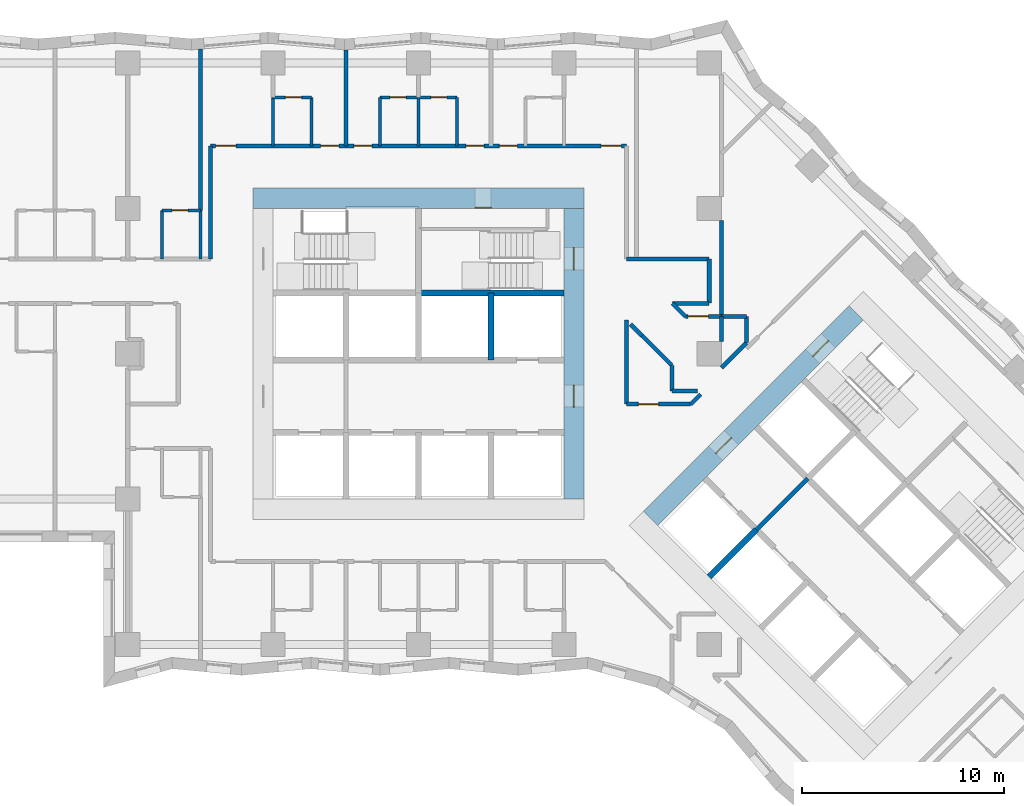
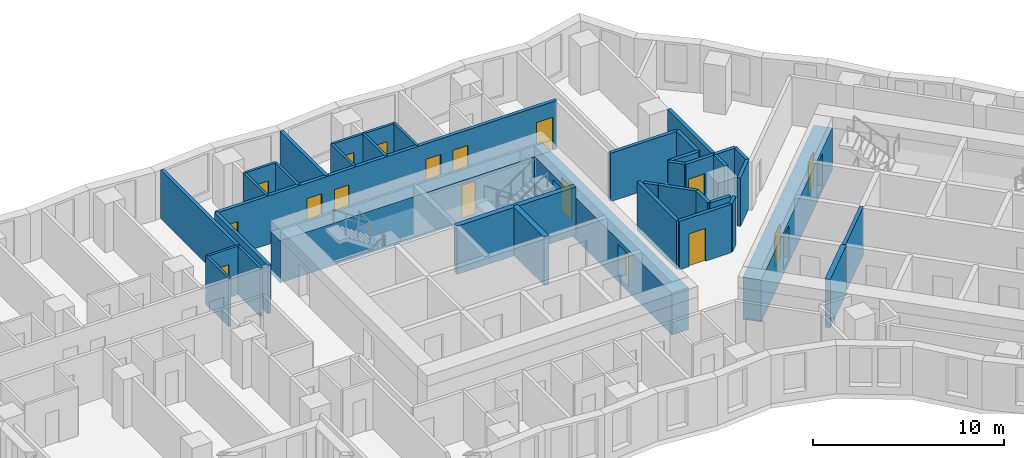
# One storey, part 6 of 13: 38 walls, 17 doors, 17 openings.
"""IFC4 building model written with IfcOpenShell, lengths in metres."""

import ifcopenshell
import ifcopenshell.guid

model = None  # the IFC model being written
_history = None  # IfcOwnerHistory: only IFC2X3 demands one
_inside = {}  # id of a spatial element -> (the spatial element, [elements in it])
_under = {}  # id of a project, library or spatial element -> (it, [spatial elements below it])
_declared = {}  # id of a project -> (the project, [libraries it declares])
_typed = {}  # id of a type object -> (the type object, [elements of that type])
_made_of = {}  # id of a material, layer set ... -> (it, [elements and type objects made of it])


def new_model(schema):
    """Start an empty IFC model of exactly this schema.

    Asked for "IFC4X3", IfcOpenShell would pick the latest addendum, in which some entities
    have other attributes; the version numbers below select the first issue.
    IFC2X3 requires an IfcOwnerHistory on every rooted entity: one is made here for all.
    """
    global model, _history
    if schema == "IFC4X3":
        model = ifcopenshell.file(schema_version=(4, 3, 0, 0))
    else:
        model = ifcopenshell.file(schema=schema)
    _inside.clear()
    _under.clear()
    _declared.clear()
    _typed.clear()
    _made_of.clear()
    _history = None
    if model.schema == "IFC2X3":
        org = make("IfcOrganization", Name="unknown")
        user = make(
            "IfcPersonAndOrganization",
            ThePerson=make("IfcPerson", FamilyName="unknown"),
            TheOrganization=org,
        )
        app = make(
            "IfcApplication",
            ApplicationDeveloper=org,
            Version="unknown",
            ApplicationFullName="unknown",
            ApplicationIdentifier="unknown",
        )
        _history = make(
            "IfcOwnerHistory",
            OwningUser=user,
            OwningApplication=app,
            ChangeAction="ADDED",
            CreationDate=0,
        )
    return model


def make(cls, **values):
    """One entity of the class cls with the attributes given. An attribute that is None is left unset."""
    return model.create_entity(
        cls, **{name: value for name, value in values.items() if value is not None}
    )


def rooted(cls, **values):
    """An entity with a GlobalId (a new one), such as an element, a storey or a relation."""
    return make(cls, GlobalId=ifcopenshell.guid.new(), OwnerHistory=_history, **values)


def si_unit(unit_type, name, prefix=None):
    """IfcSIUnit, for example si_unit("LENGTHUNIT", "METRE", prefix="MILLI")."""
    return make("IfcSIUnit", UnitType=unit_type, Prefix=prefix, Name=name)


def assignment(units):
    """IfcUnitAssignment: the units of a project."""
    return None if units is None else make("IfcUnitAssignment", Units=units)


def point(xyz):
    """IfcCartesianPoint."""
    return None if xyz is None else make("IfcCartesianPoint", Coordinates=xyz)


def direction(xyz):
    """IfcDirection."""
    return None if xyz is None else make("IfcDirection", DirectionRatios=xyz)


def frame(location, z_axis=None, x_axis=None):
    """IfcAxis2Placement3D, a coordinate frame: its origin and axes. An axis left out is left unset."""
    return make(
        "IfcAxis2Placement3D",
        Location=point(location),
        Axis=direction(z_axis),
        RefDirection=direction(x_axis),
    )


def frame_2d(location, x_axis=None):
    """IfcAxis2Placement2D, a coordinate frame in the plane: its origin and x axis."""
    return make(
        "IfcAxis2Placement2D", Location=point(location), RefDirection=direction(x_axis)
    )


def origin():
    """The frame at (0, 0, 0) with its axes left unset."""
    return frame((0.0, 0.0, 0.0))


def place(relative_to, where):
    """IfcLocalPlacement: puts the frame where relative to a parent placement (None: the world)."""
    return make(
        "IfcLocalPlacement", PlacementRelTo=relative_to, RelativePlacement=where
    )


def context(
    kind, dimensions, precision=None, world=None, true_north=None, identifier=None
):
    """IfcGeometricRepresentationContext, for example the 3D "Model" context."""
    return make(
        "IfcGeometricRepresentationContext",
        ContextIdentifier=identifier,
        ContextType=kind,
        CoordinateSpaceDimension=dimensions,
        Precision=precision,
        WorldCoordinateSystem=world,
        TrueNorth=true_north,
    )


def subcontext(parent, identifier, kind, view, scale=None):
    """IfcGeometricRepresentationSubContext, for example "Body" below "Model"."""
    return make(
        "IfcGeometricRepresentationSubContext",
        ContextIdentifier=identifier,
        ContextType=kind,
        ParentContext=parent,
        TargetScale=scale,
        TargetView=view,
    )


def project(units=None, contexts=None):
    """IfcProject with its units and contexts."""
    return rooted(
        "IfcProject",
        Name="project",
        RepresentationContexts=contexts,
        UnitsInContext=assignment(units),
    )


def spatial(cls, under=None, at=None, **own):
    """A site, building, storey or space (cls), placed at a placement, below another one or the project."""
    s = rooted(cls, ObjectPlacement=at, **own)
    if under is not None:
        _under.setdefault(under.id(), (under, []))[1].append(s)
    return s


def profile(cls, at=None, kind="AREA", **sizes):
    """A parametric profile (cls). Its sizes go by their IFC names, for example OverallWidth=200.0."""
    return make(cls, ProfileType=kind, Position=at, **sizes)


def rectangle(**sizes):
    """IfcRectangleProfileDef."""
    return profile("IfcRectangleProfileDef", **sizes)


def extrude(swept, where, along, depth):
    """IfcExtrudedAreaSolid: the profile swept, set in the frame where, extruded along a direction by depth."""
    return make(
        "IfcExtrudedAreaSolid",
        SweptArea=swept,
        Position=where,
        ExtrudedDirection=direction(along),
        Depth=depth,
    )


def shape(context_of_items, identifier, shape_type, items):
    """IfcShapeRepresentation: the items that make up one representation, for example the "Body"."""
    return make(
        "IfcShapeRepresentation",
        ContextOfItems=context_of_items,
        RepresentationIdentifier=identifier,
        RepresentationType=shape_type,
        Items=items,
    )


def material(Name=None, Category=None):
    """IfcMaterial."""
    return make("IfcMaterial", Name=Name, Category=Category)


def layer(
    of_material, thickness, ventilated=None, Name=None, Category=None, Priority=None
):
    """IfcMaterialLayer: one layer of a wall or slab, of a material (None: an air gap)."""
    return make(
        "IfcMaterialLayer",
        Material=of_material,
        LayerThickness=thickness,
        IsVentilated=ventilated,
        Name=Name,
        Category=Category,
        Priority=Priority,
    )


def layer_set(layers, Name=None):
    """IfcMaterialLayerSet."""
    return make("IfcMaterialLayerSet", MaterialLayers=layers, LayerSetName=Name)


def made_of(thing, what):
    """Note that an element or type object is made of a material, layer set ...; save() writes the relation."""
    if what is not None:
        _made_of.setdefault(what.id(), (what, []))[1].append(thing)
    return thing


def type_object(cls, material=None, **own):
    """A type object (cls), such as IfcWallType, which elements share."""
    return made_of(rooted(cls, **own), material)


def element(
    cls,
    number,
    at=None,
    inside=None,
    cuts=None,
    type_object=None,
    material=None,
    context=None,
    identifier="Body",
    shape_type=None,
    held_by="IfcProductDefinitionShape",
    body=None,
    shapes=None,
    **own,
):
    """One element of the class cls, such as IfcWall. Its Tag is "e" and its number.

    at: its placement. inside: the storey or other place that contains it. cuts: it is an
    opening in that element (IfcRelVoidsElement). A single representation is given by context,
    identifier, shape_type and body (its items); several are given by shapes. held_by: the class
    of the entity that holds the representations. save() writes the other relations.
    """
    e = rooted(cls, Tag="e%d" % number, ObjectPlacement=at, **own)
    if body is not None:
        shapes = [shape(context, identifier, shape_type, body)]
    if shapes is not None:
        e.Representation = make(held_by, Representations=shapes)
    if inside is not None:
        _inside.setdefault(inside.id(), (inside, []))[1].append(e)
    if cuts is not None:
        rooted(
            "IfcRelVoidsElement", RelatingBuildingElement=cuts, RelatedOpeningElement=e
        )
    if type_object is not None:
        _typed.setdefault(type_object.id(), (type_object, []))[1].append(e)
    return made_of(e, material)


def fill(opening, filler):
    """IfcRelFillsElement: the door or window that sits in an opening."""
    return rooted(
        "IfcRelFillsElement",
        RelatingOpeningElement=opening,
        RelatedBuildingElement=filler,
    )


def aggregate(whole, parts):
    """IfcRelAggregates: a whole, such as a stair, and the parts it consists of."""
    return rooted("IfcRelAggregates", RelatingObject=whole, RelatedObjects=parts)


def save(model, path):
    """Write the relations noted so far, then the file.

    IfcRelAggregates (storeys below a building ...), IfcRelContainedInSpatialStructure (elements
    in a storey), IfcRelDefinesByType, IfcRelAssociatesMaterial and IfcRelDeclares: one each for
    every whole, place, type object, material and project.
    """
    for whole, parts in _under.values():
        aggregate(whole, parts)
    for where, things in _inside.values():
        rooted(
            "IfcRelContainedInSpatialStructure",
            RelatedElements=things,
            RelatingStructure=where,
        )
    for kind, things in _typed.values():
        rooted("IfcRelDefinesByType", RelatedObjects=things, RelatingType=kind)
    for what, things in _made_of.values():
        rooted("IfcRelAssociatesMaterial", RelatedObjects=things, RelatingMaterial=what)
    for by, libraries in _declared.values():
        rooted("IfcRelDeclares", RelatingContext=by, RelatedDefinitions=libraries)
    model.write(path)


model = new_model("IFC4")

# Units and contexts
model_context = context("Model", 3, precision=1e-05, world=origin(), true_north=direction((0.0, 1.0)))
body_context = subcontext(model_context, "Body", "Model", "MODEL_VIEW")
ifc_project = project(units=[si_unit("LENGTHUNIT", "METRE"), si_unit("AREAUNIT", "SQUARE_METRE"), si_unit("VOLUMEUNIT", "CUBIC_METRE"), si_unit("PLANEANGLEUNIT", "RADIAN"), si_unit("MASSUNIT", "GRAM", prefix="KILO")], contexts=[model_context])

# Site, building, storey
site_placement = place(None, origin())
site = spatial("IfcSite", under=ifc_project, at=site_placement, CompositionType="ELEMENT")
building_placement = place(site_placement, origin())
building = spatial("IfcBuilding", under=site, at=building_placement, Name="Windrow Commons", CompositionType="ELEMENT")
storey_placement = place(building_placement, frame((0.0, 0.0, 30.4)))
storey = spatial("IfcBuildingStorey", under=building, at=storey_placement, Name="L07", CompositionType="ELEMENT", Elevation=30.4)

# Wall
ifc_material_1 = material(Name="Blockwork partition", Category="masonry")
ifc_layer_1 = layer(ifc_material_1, 0.2)
ifc_layer_set_1 = layer_set([ifc_layer_1], Name="Fire lobby partition 200")
wall_type_1 = type_object("IfcWallType", Name="Fire lobby partition 200", PredefinedType="PARTITIONING", material=ifc_layer_set_1)
wall_1_placement = place(storey_placement, frame((81.5335, 48.8776, 0.0), z_axis=(0.0, 0.0, 1.0), x_axis=(0.707092892, 0.7071206701, 0.0)))
element("IfcWall", 1, at=wall_1_placement, inside=storey, type_object=wall_type_1, Name="W-core-lobby-B-L07", PredefinedType="PARTITIONING", context=body_context, shape_type="SweptSolid", body=[
    extrude(rectangle(XDim=3.6, YDim=0.2, at=frame_2d((1.8, 0.0))), origin(), (0.0, 0.0, 1.0), 3.1),
])

# Wall, openings, doors
ifc_material_2 = material(Name="Blockwork partition", Category="masonry")
ifc_layer_2 = layer(ifc_material_2, 0.2)
ifc_layer_set_2 = layer_set([ifc_layer_2], Name="IW-CORRIDOR-200")
wall_type_2 = type_object("IfcWallType", Name="IW-CORRIDOR-200", PredefinedType="PARTITIONING", material=ifc_layer_set_2)
wall_2_placement = place(storey_placement, frame((54.5, 67.9, 0.0), z_axis=(0.0, 0.0, 1.0), x_axis=(1.0, 0.0, 0.0)))
wall_2 = element("IfcWall", 2, at=wall_2_placement, inside=storey, type_object=wall_type_2, Name="W-L07-W002", PredefinedType="PARTITIONING", context=body_context, shape_type="SweptSolid", body=[
    extrude(rectangle(XDim=20.6, YDim=0.2, at=frame_2d((10.3, 0.0))), origin(), (0.0, 0.0, 1.0), 3.1),
])
opening_1_placement = place(wall_2_placement, frame((0.2548, 0.0, 0.0)))
opening_1 = element("IfcOpeningElement", 3, at=opening_1_placement, cuts=wall_2, Name="Opening D310F", PredefinedType="OPENING", context=body_context, shape_type="SweptSolid", body=[
    extrude(rectangle(XDim=1.0, YDim=2.1, at=frame_2d((0.5, 1.05))), frame((0.0, 0.11, 0.0), z_axis=(0.0, -1.0, 0.0), x_axis=(1.0, 0.0, 0.0)), (0.0, 0.0, 1.0), 0.22),
])
opening_2_placement = place(wall_2_placement, frame((19.3452, 0.0, 0.0)))
opening_2 = element("IfcOpeningElement", 4, at=opening_2_placement, cuts=wall_2, Name="Opening D310F", PredefinedType="OPENING", context=body_context, shape_type="SweptSolid", body=[
    extrude(rectangle(XDim=1.0, YDim=2.1, at=frame_2d((0.5, 1.05))), frame((0.0, 0.11, 0.0), z_axis=(0.0, -1.0, 0.0), x_axis=(1.0, 0.0, 0.0)), (0.0, 0.0, 1.0), 0.22),
])
opening_3_placement = place(wall_2_placement, frame((5.45, 0.0, 0.0)))
opening_3 = element("IfcOpeningElement", 5, at=opening_3_placement, cuts=wall_2, Name="Opening D109S", PredefinedType="OPENING", context=body_context, shape_type="SweptSolid", body=[
    extrude(rectangle(XDim=0.9, YDim=2.1, at=frame_2d((0.45, 1.05))), frame((0.0, 0.11, 0.0), z_axis=(0.0, -1.0, 0.0), x_axis=(1.0, 0.0, 0.0)), (0.0, 0.0, 1.0), 0.22),
])
opening_4_placement = place(wall_2_placement, frame((7.1, 0.0, 0.0)))
opening_4 = element("IfcOpeningElement", 6, at=opening_4_placement, cuts=wall_2, Name="Opening D109S", PredefinedType="OPENING", context=body_context, shape_type="SweptSolid", body=[
    extrude(rectangle(XDim=0.9, YDim=2.1, at=frame_2d((0.45, 1.05))), frame((0.0, 0.11, 0.0), z_axis=(0.0, -1.0, 0.0), x_axis=(1.0, 0.0, 0.0)), (0.0, 0.0, 1.0), 0.22),
])
opening_5_placement = place(wall_2_placement, frame((12.65, 0.0, 0.0)))
opening_5 = element("IfcOpeningElement", 7, at=opening_5_placement, cuts=wall_2, Name="Opening D109S", PredefinedType="OPENING", context=body_context, shape_type="SweptSolid", body=[
    extrude(rectangle(XDim=0.9, YDim=2.1, at=frame_2d((0.45, 1.05))), frame((0.0, 0.11, 0.0), z_axis=(0.0, -1.0, 0.0), x_axis=(1.0, 0.0, 0.0)), (0.0, 0.0, 1.0), 0.22),
])
opening_6_placement = place(wall_2_placement, frame((14.3, 0.0, 0.0)))
opening_6 = element("IfcOpeningElement", 8, at=opening_6_placement, cuts=wall_2, Name="Opening D109S", PredefinedType="OPENING", context=body_context, shape_type="SweptSolid", body=[
    extrude(rectangle(XDim=0.9, YDim=2.1, at=frame_2d((0.45, 1.05))), frame((0.0, 0.11, 0.0), z_axis=(0.0, -1.0, 0.0), x_axis=(1.0, 0.0, 0.0)), (0.0, 0.0, 1.0), 0.22),
])
ifc_material_3 = material(Name="Timber door leaf", Category="wood")
door_type_1 = type_object("IfcDoorType", Name="DT-AMENITY-1000", OperationType="SINGLE_SWING_LEFT", PredefinedType="DOOR", material=ifc_material_3)
door_1_placement = place(opening_1_placement, origin())
door_1 = element("IfcDoor", 9, at=door_1_placement, inside=storey, type_object=door_type_1, Name="D-L07-D024", OperationType="SINGLE_SWING_LEFT", OverallHeight=2.1, OverallWidth=1.0, PredefinedType="DOOR", context=body_context, shape_type="SweptSolid", body=[
    extrude(rectangle(XDim=1.0, YDim=2.1, at=frame_2d((0.5, 1.05))), frame((0.0, 0.025, 0.0), z_axis=(0.0, -1.0, 0.0), x_axis=(1.0, 0.0, 0.0)), (0.0, 0.0, 1.0), 0.05),
])
fill(opening_1, door_1)
door_2_placement = place(opening_2_placement, origin())
door_2 = element("IfcDoor", 10, at=door_2_placement, inside=storey, type_object=door_type_1, Name="D-L07-D025", OperationType="SINGLE_SWING_RIGHT", OverallHeight=2.1, OverallWidth=1.0, PredefinedType="DOOR", context=body_context, shape_type="SweptSolid", body=[
    extrude(rectangle(XDim=1.0, YDim=2.1, at=frame_2d((0.5, 1.05))), frame((0.0, 0.025, 0.0), z_axis=(0.0, -1.0, 0.0), x_axis=(1.0, 0.0, 0.0)), (0.0, 0.0, 1.0), 0.05),
])
fill(opening_2, door_2)
ifc_material_4 = material(Name="Timber door leaf", Category="wood")
door_type_2 = type_object("IfcDoorType", Name="DT-BEDROOM-900", OperationType="SINGLE_SWING_LEFT", PredefinedType="DOOR", material=ifc_material_4)
door_3_placement = place(opening_3_placement, origin())
door_3 = element("IfcDoor", 11, at=door_3_placement, inside=storey, type_object=door_type_2, Name="D-L07-D031", OperationType="SINGLE_SWING_RIGHT", OverallHeight=2.1, OverallWidth=0.9, PredefinedType="DOOR", context=body_context, shape_type="SweptSolid", body=[
    extrude(rectangle(XDim=0.9, YDim=2.1, at=frame_2d((0.45, 1.05))), frame((0.0, 0.025, 0.0), z_axis=(0.0, -1.0, 0.0), x_axis=(1.0, 0.0, 0.0)), (0.0, 0.0, 1.0), 0.05),
])
fill(opening_3, door_3)
door_4_placement = place(opening_4_placement, origin())
door_4 = element("IfcDoor", 12, at=door_4_placement, inside=storey, type_object=door_type_2, Name="D-L07-D033", OperationType="SINGLE_SWING_LEFT", OverallHeight=2.1, OverallWidth=0.9, PredefinedType="DOOR", context=body_context, shape_type="SweptSolid", body=[
    extrude(rectangle(XDim=0.9, YDim=2.1, at=frame_2d((0.45, 1.05))), frame((0.0, 0.025, 0.0), z_axis=(0.0, -1.0, 0.0), x_axis=(1.0, 0.0, 0.0)), (0.0, 0.0, 1.0), 0.05),
])
fill(opening_4, door_4)
door_5_placement = place(opening_5_placement, origin())
door_5 = element("IfcDoor", 13, at=door_5_placement, inside=storey, type_object=door_type_2, Name="D-L07-D035", OperationType="SINGLE_SWING_RIGHT", OverallHeight=2.1, OverallWidth=0.9, PredefinedType="DOOR", context=body_context, shape_type="SweptSolid", body=[
    extrude(rectangle(XDim=0.9, YDim=2.1, at=frame_2d((0.45, 1.05))), frame((0.0, 0.025, 0.0), z_axis=(0.0, -1.0, 0.0), x_axis=(1.0, 0.0, 0.0)), (0.0, 0.0, 1.0), 0.05),
])
fill(opening_5, door_5)
door_6_placement = place(opening_6_placement, origin())
door_6 = element("IfcDoor", 14, at=door_6_placement, inside=storey, type_object=door_type_2, Name="D-L07-D037", OperationType="SINGLE_SWING_LEFT", OverallHeight=2.1, OverallWidth=0.9, PredefinedType="DOOR", context=body_context, shape_type="SweptSolid", body=[
    extrude(rectangle(XDim=0.9, YDim=2.1, at=frame_2d((0.45, 1.05))), frame((0.0, 0.025, 0.0), z_axis=(0.0, -1.0, 0.0), x_axis=(1.0, 0.0, 0.0)), (0.0, 0.0, 1.0), 0.05),
])
fill(opening_6, door_6)

# Walls
wall_3_placement = place(storey_placement, frame((54.5, 62.302, 0.0), z_axis=(0.0, 0.0, 1.0), x_axis=(0.0, 1.0, 0.0)))
element("IfcWall", 15, at=wall_3_placement, inside=storey, type_object=wall_type_2, Name="W-L07-W039", PredefinedType="PARTITIONING", context=body_context, shape_type="SweptSolid", body=[
    extrude(rectangle(XDim=5.598, YDim=0.2, at=frame_2d((2.799, 0.0))), origin(), (0.0, 0.0, 1.0), 3.1),
])
wall_4_placement = place(storey_placement, frame((75.1, 55.102, 0.0), z_axis=(0.0, 0.0, 1.0), x_axis=(0.0, 1.0, 0.0)))
element("IfcWall", 16, at=wall_4_placement, inside=storey, type_object=wall_type_2, Name="W-L07-W056", PredefinedType="PARTITIONING", context=body_context, shape_type="SweptSolid", body=[
    extrude(rectangle(XDim=4.166, YDim=0.2, at=frame_2d((2.083, 0.0))), origin(), (0.0, 0.0, 1.0), 3.1),
])
wall_5_placement = place(storey_placement, frame((75.102, 62.3, 0.0), z_axis=(0.0, 0.0, 1.0), x_axis=(1.0, 0.0, 0.0)))
element("IfcWall", 17, at=wall_5_placement, inside=storey, type_object=wall_type_2, Name="W-L07-W058", PredefinedType="PARTITIONING", context=body_context, shape_type="SweptSolid", body=[
    extrude(rectangle(XDim=4.098, YDim=0.2, at=frame_2d((2.049, 0.0))), origin(), (0.0, 0.0, 1.0), 3.1),
])

# Wall, opening, door
wall_6_placement = place(storey_placement, frame((75.102, 55.1, 0.0), z_axis=(0.0, 0.0, 1.0), x_axis=(1.0, 0.0, 0.0)))
wall_6 = element("IfcWall", 18, at=wall_6_placement, inside=storey, type_object=wall_type_2, Name="W-L07-W068", PredefinedType="PARTITIONING", context=body_context, shape_type="SweptSolid", body=[
    extrude(rectangle(XDim=3.178, YDim=0.2, at=frame_2d((1.589, 0.0))), origin(), (0.0, 0.0, 1.0), 3.1),
])
opening_7_placement = place(wall_6_placement, frame((0.5937, 0.0, 0.0)))
opening_7 = element("IfcOpeningElement", 19, at=opening_7_placement, cuts=wall_6, Name="Opening D310F", PredefinedType="OPENING", context=body_context, shape_type="SweptSolid", body=[
    extrude(rectangle(XDim=1.0, YDim=2.1, at=frame_2d((0.5, 1.05))), frame((0.0, 0.11, 0.0), z_axis=(0.0, -1.0, 0.0), x_axis=(1.0, 0.0, 0.0)), (0.0, 0.0, 1.0), 0.22),
])
door_7_placement = place(opening_7_placement, origin())
door_7 = element("IfcDoor", 20, at=door_7_placement, inside=storey, type_object=door_type_1, Name="D-L07-D000", OperationType="SINGLE_SWING_LEFT", OverallHeight=2.1, OverallWidth=1.0, PredefinedType="DOOR", context=body_context, shape_type="SweptSolid", body=[
    extrude(rectangle(XDim=1.0, YDim=2.1, at=frame_2d((0.5, 1.05))), frame((0.0, 0.025, 0.0), z_axis=(0.0, -1.0, 0.0), x_axis=(1.0, 0.0, 0.0)), (0.0, 0.0, 1.0), 0.05),
])
fill(opening_7, door_7)

# Walls
wall_7_placement = place(storey_placement, frame((79.2, 60.102, 0.0), z_axis=(0.0, 0.0, 1.0), x_axis=(0.0, 1.0, 0.0)))
element("IfcWall", 21, at=wall_7_placement, inside=storey, type_object=wall_type_2, Name="W-L07-W130", PredefinedType="PARTITIONING", context=body_context, shape_type="SweptSolid", body=[
    extrude(rectangle(XDim=2.198, YDim=0.2, at=frame_2d((1.099, 0.0))), origin(), (0.0, 0.0, 1.0), 3.1),
])
wall_8_placement = place(storey_placement, frame((75.8791, 58.4971, 0.0), z_axis=(0.0, 0.0, 1.0), x_axis=(0.7075866635, -0.706626573, 0.0)))
element("IfcWall", 22, at=wall_8_placement, inside=storey, type_object=wall_type_2, Name="W-L07-W133", PredefinedType="PARTITIONING", context=body_context, shape_type="SweptSolid", body=[
    extrude(rectangle(XDim=2.0831, YDim=0.2, at=frame_2d((1.0415, 0.0))), origin(), (0.0, 0.0, 1.0), 3.1),
])
wall_9_placement = place(storey_placement, frame((77.384, 60.1, 0.0), z_axis=(0.0, 0.0, 1.0), x_axis=(1.0, 0.0, 0.0)))
element("IfcWall", 23, at=wall_9_placement, inside=storey, type_object=wall_type_2, Name="W-L07-W159", PredefinedType="PARTITIONING", context=body_context, shape_type="SweptSolid", body=[
    extrude(rectangle(XDim=1.814, YDim=0.2, at=frame_2d((0.907, 0.0))), origin(), (0.0, 0.0, 1.0), 3.1),
])

# Wall, opening, door
wall_10_placement = place(storey_placement, frame((78.032, 59.45, 0.0), z_axis=(0.0, 0.0, 1.0), x_axis=(1.0, 0.0, 0.0)))
wall_10 = element("IfcWall", 24, at=wall_10_placement, inside=storey, type_object=wall_type_2, Name="W-L07-W162", PredefinedType="PARTITIONING", context=body_context, shape_type="SweptSolid", body=[
    extrude(rectangle(XDim=1.768, YDim=0.2, at=frame_2d((0.884, 0.0))), origin(), (0.0, 0.0, 1.0), 3.1),
])
opening_8_placement = place(wall_10_placement, frame((0.1264, 0.0, 0.0)))
opening_8 = element("IfcOpeningElement", 25, at=opening_8_placement, cuts=wall_10, Name="Opening D310F", PredefinedType="OPENING", context=body_context, shape_type="SweptSolid", body=[
    extrude(rectangle(XDim=1.0, YDim=2.1, at=frame_2d((0.5, 1.05))), frame((0.0, 0.11, 0.0), z_axis=(0.0, -1.0, 0.0), x_axis=(1.0, 0.0, 0.0)), (0.0, 0.0, 1.0), 0.22),
])
door_8_placement = place(opening_8_placement, origin())
door_8 = element("IfcDoor", 26, at=door_8_placement, inside=storey, type_object=door_type_1, Name="D-L07-D048", OperationType="SINGLE_SWING_LEFT", OverallHeight=2.1, OverallWidth=1.0, PredefinedType="DOOR", context=body_context, shape_type="SweptSolid", body=[
    extrude(rectangle(XDim=1.0, YDim=2.1, at=frame_2d((0.5, 1.05))), frame((0.0, 0.025, 0.0), z_axis=(0.0, -1.0, 0.0), x_axis=(1.0, 0.0, 0.0)), (0.0, 0.0, 1.0), 0.05),
])
fill(opening_8, door_8)

# Walls
wall_11_placement = place(storey_placement, frame((79.8011, 56.9049, 0.0), z_axis=(0.0, 0.0, 1.0), x_axis=(0.7071067812, 0.7071067812, 0.0)))
element("IfcWall", 27, at=wall_11_placement, inside=storey, type_object=wall_type_2, Name="W-L07-W163", PredefinedType="PARTITIONING", context=body_context, shape_type="SweptSolid", body=[
    extrude(rectangle(XDim=1.7649, YDim=0.2, at=frame_2d((0.8824, 0.0))), origin(), (0.0, 0.0, 1.0), 3.1),
])
for number, where, z_axis, x_axis, name in (
    (28, (77.352, 55.75, 0.0), (0.0, 0.0, 1.0), (1.0, 0.0, 0.0), "W-L07-W177"),
    (29, (77.35, 55.752, 0.0), (0.0, 0.0, 1.0), (0.0, 1.0, 0.0), "W-L07-W178"),
):
    element("IfcWall", number, at=place(storey_placement, frame(where, z_axis=z_axis, x_axis=x_axis)), inside=storey, type_object=wall_type_2, Name=name, PredefinedType="PARTITIONING", context=body_context, shape_type="SweptSolid", body=[
        extrude(rectangle(XDim=1.268, YDim=0.2, at=frame_2d((0.634, 0.0))), origin(), (0.0, 0.0, 1.0), 3.1),
    ])
wall_12_placement = place(storey_placement, frame((79.8, 58.2, 0.0), z_axis=(0.0, 0.0, 1.0), x_axis=(0.0, 1.0, 0.0)))
element("IfcWall", 30, at=wall_12_placement, inside=storey, type_object=wall_type_2, Name="W-L07-W179", PredefinedType="PARTITIONING", context=body_context, shape_type="SweptSolid", body=[
    extrude(rectangle(XDim=1.25, YDim=0.2, at=frame_2d((0.625, 0.0))), origin(), (0.0, 0.0, 1.0), 3.1),
])
wall_13_placement = place(storey_placement, frame((77.3809, 60.0949, 0.0), z_axis=(0.0, 0.0, 1.0), x_axis=(0.7071067812, -0.7071067812, 0.0)))
element("IfcWall", 31, at=wall_13_placement, inside=storey, type_object=wall_type_2, Name="W-L07-W187", PredefinedType="PARTITIONING", context=body_context, shape_type="SweptSolid", body=[
    extrude(rectangle(XDim=0.9164, YDim=0.2, at=frame_2d((0.4582, 0.0))), origin(), (0.0, 0.0, 1.0), 3.1),
])
wall_14_placement = place(storey_placement, frame((75.2972, 59.0672, 0.0), z_axis=(0.0, 0.0, 1.0), x_axis=(0.7071067812, -0.7071067812, 0.0)))
element("IfcWall", 32, at=wall_14_placement, inside=storey, type_object=wall_type_2, Name="W-L07-W188", PredefinedType="PARTITIONING", context=body_context, shape_type="SweptSolid", body=[
    extrude(rectangle(XDim=0.8146, YDim=0.2, at=frame_2d((0.4073, 0.0))), origin(), (0.0, 0.0, 1.0), 3.1),
])
wall_15_placement = place(storey_placement, frame((78.2795, 55.1005, 0.0), z_axis=(0.0, 0.0, 1.0), x_axis=(0.7071067812, 0.7071067812, 0.0)))
element("IfcWall", 33, at=wall_15_placement, inside=storey, type_object=wall_type_2, Name="W-L07-W190", PredefinedType="PARTITIONING", context=body_context, shape_type="SweptSolid", body=[
    extrude(rectangle(XDim=0.7014, YDim=0.2, at=frame_2d((0.3507, 0.0))), origin(), (0.0, 0.0, 1.0), 3.1),
])

# Wall, openings, doors
ifc_material_5 = material(Name="Blockwork partition", Category="masonry")
ifc_layer_3 = layer(ifc_material_5, 0.15)
ifc_layer_set_3 = layer_set([ifc_layer_3], Name="IW-ENSUITE-150")
wall_type_3 = type_object("IfcWallType", Name="IW-ENSUITE-150", PredefinedType="PARTITIONING", material=ifc_layer_set_3)
wall_16_placement = place(storey_placement, frame((62.9, 70.3, 0.0), z_axis=(0.0, 0.0, 1.0), x_axis=(1.0, 0.0, 0.0)))
wall_16 = element("IfcWall", 34, at=wall_16_placement, inside=storey, type_object=wall_type_3, Name="W-L07-W062", PredefinedType="PARTITIONING", context=body_context, shape_type="SweptSolid", body=[
    extrude(rectangle(XDim=3.8, YDim=0.15, at=frame_2d((1.9, 0.0))), origin(), (0.0, 0.0, 1.0), 3.1),
])
opening_9_placement = place(wall_16_placement, frame((0.4931, 0.0, 0.0)))
opening_9 = element("IfcOpeningElement", 35, at=opening_9_placement, cuts=wall_16, Name="Opening D208N", PredefinedType="OPENING", context=body_context, shape_type="SweptSolid", body=[
    extrude(rectangle(XDim=0.8, YDim=2.1, at=frame_2d((0.4, 1.05))), frame((0.0, 0.085, 0.0), z_axis=(0.0, -1.0, 0.0), x_axis=(1.0, 0.0, 0.0)), (0.0, 0.0, 1.0), 0.17),
])
opening_10_placement = place(wall_16_placement, frame((2.5069, 0.0, 0.0)))
opening_10 = element("IfcOpeningElement", 36, at=opening_10_placement, cuts=wall_16, Name="Opening D208N", PredefinedType="OPENING", context=body_context, shape_type="SweptSolid", body=[
    extrude(rectangle(XDim=0.8, YDim=2.1, at=frame_2d((0.4, 1.05))), frame((0.0, 0.085, 0.0), z_axis=(0.0, -1.0, 0.0), x_axis=(1.0, 0.0, 0.0)), (0.0, 0.0, 1.0), 0.17),
])
ifc_material_6 = material(Name="Timber door leaf", Category="wood")
door_type_3 = type_object("IfcDoorType", Name="DT-ENSUITE-800", OperationType="SINGLE_SWING_LEFT", PredefinedType="DOOR", material=ifc_material_6)
door_9_placement = place(opening_9_placement, origin())
door_9 = element("IfcDoor", 37, at=door_9_placement, inside=storey, type_object=door_type_3, Name="D-L07-D034", OperationType="SINGLE_SWING_RIGHT", OverallHeight=2.1, OverallWidth=0.8, PredefinedType="DOOR", context=body_context, shape_type="SweptSolid", body=[
    extrude(rectangle(XDim=0.8, YDim=2.1, at=frame_2d((0.4, 1.05))), frame((0.0, 0.025, 0.0), z_axis=(0.0, -1.0, 0.0), x_axis=(1.0, 0.0, 0.0)), (0.0, 0.0, 1.0), 0.05),
])
fill(opening_9, door_9)
door_10_placement = place(opening_10_placement, origin())
door_10 = element("IfcDoor", 38, at=door_10_placement, inside=storey, type_object=door_type_3, Name="D-L07-D036", OperationType="SINGLE_SWING_RIGHT", OverallHeight=2.1, OverallWidth=0.8, PredefinedType="DOOR", context=body_context, shape_type="SweptSolid", body=[
    extrude(rectangle(XDim=0.8, YDim=2.1, at=frame_2d((0.4, 1.05))), frame((0.0, 0.025, 0.0), z_axis=(0.0, -1.0, 0.0), x_axis=(1.0, 0.0, 0.0)), (0.0, 0.0, 1.0), 0.05),
])
fill(opening_10, door_10)

# Walls
for number, where, z_axis, x_axis, name in (
    (39, (52.1, 62.3, 0.0), (0.0, 0.0, 1.0), (0.0, 1.0, 0.0), "W-L07-W093"),
    (40, (54.0, 62.3, 0.0), (0.0, 0.0, 1.0), (0.0, 1.0, 0.0), "W-L07-W094"),
    (41, (59.5, 67.9, 0.0), (0.0, 0.0, 1.0), (0.0, 1.0, 0.0), "W-L07-W108"),
    (42, (57.6, 67.9, 0.0), (0.0, 0.0, 1.0), (0.0, 1.0, 0.0), "W-L07-W109"),
    (43, (62.9, 67.9, 0.0), (0.0, 0.0, 1.0), (0.0, 1.0, 0.0), "W-L07-W110"),
    (44, (66.7, 67.9, 0.0), (0.0, 0.0, 1.0), (0.0, 1.0, 0.0), "W-L07-W111"),
    (45, (64.8, 67.9, 0.0), (0.0, 0.0, 1.0), (0.0, 1.0, 0.0), "W-L07-W112"),
):
    element("IfcWall", number, at=place(storey_placement, frame(where, z_axis=z_axis, x_axis=x_axis)), inside=storey, type_object=wall_type_3, Name=name, PredefinedType="PARTITIONING", context=body_context, shape_type="SweptSolid", body=[
        extrude(rectangle(XDim=2.4, YDim=0.15, at=frame_2d((1.2, 0.0))), origin(), (0.0, 0.0, 1.0), 3.1),
    ])

# Wall, opening, door
wall_17_placement = place(storey_placement, frame((52.1, 64.7, 0.0), z_axis=(0.0, 0.0, 1.0), x_axis=(1.0, 0.0, 0.0)))
wall_17 = element("IfcWall", 46, at=wall_17_placement, inside=storey, type_object=wall_type_3, Name="W-L07-W149", PredefinedType="PARTITIONING", context=body_context, shape_type="SweptSolid", body=[
    extrude(rectangle(XDim=1.9, YDim=0.15, at=frame_2d((0.95, 0.0))), origin(), (0.0, 0.0, 1.0), 3.1),
])
opening_11_placement = place(wall_17_placement, frame((0.4931, 0.0, 0.0)))
opening_11 = element("IfcOpeningElement", 47, at=opening_11_placement, cuts=wall_17, Name="Opening D208N", PredefinedType="OPENING", context=body_context, shape_type="SweptSolid", body=[
    extrude(rectangle(XDim=0.8, YDim=2.1, at=frame_2d((0.4, 1.05))), frame((0.0, 0.085, 0.0), z_axis=(0.0, -1.0, 0.0), x_axis=(1.0, 0.0, 0.0)), (0.0, 0.0, 1.0), 0.17),
])
door_11_placement = place(opening_11_placement, origin())
door_11 = element("IfcDoor", 48, at=door_11_placement, inside=storey, type_object=door_type_3, Name="D-L07-D023", OperationType="SINGLE_SWING_RIGHT", OverallHeight=2.1, OverallWidth=0.8, PredefinedType="DOOR", context=body_context, shape_type="SweptSolid", body=[
    extrude(rectangle(XDim=0.8, YDim=2.1, at=frame_2d((0.4, 1.05))), frame((0.0, 0.025, 0.0), z_axis=(0.0, -1.0, 0.0), x_axis=(1.0, 0.0, 0.0)), (0.0, 0.0, 1.0), 0.05),
])
fill(opening_11, door_11)

wall_18_placement = place(storey_placement, frame((57.6, 70.3, 0.0), z_axis=(0.0, 0.0, 1.0), x_axis=(1.0, 0.0, 0.0)))
wall_18 = element("IfcWall", 49, at=wall_18_placement, inside=storey, type_object=wall_type_3, Name="W-L07-W154", PredefinedType="PARTITIONING", context=body_context, shape_type="SweptSolid", body=[
    extrude(rectangle(XDim=1.9, YDim=0.15, at=frame_2d((0.95, 0.0))), origin(), (0.0, 0.0, 1.0), 3.1),
])
opening_12_placement = place(wall_18_placement, frame((0.6069, 0.0, 0.0)))
opening_12 = element("IfcOpeningElement", 50, at=opening_12_placement, cuts=wall_18, Name="Opening D208N", PredefinedType="OPENING", context=body_context, shape_type="SweptSolid", body=[
    extrude(rectangle(XDim=0.8, YDim=2.1, at=frame_2d((0.4, 1.05))), frame((0.0, 0.085, 0.0), z_axis=(0.0, -1.0, 0.0), x_axis=(1.0, 0.0, 0.0)), (0.0, 0.0, 1.0), 0.17),
])
door_12_placement = place(opening_12_placement, origin())
door_12 = element("IfcDoor", 51, at=door_12_placement, inside=storey, type_object=door_type_3, Name="D-L07-D032", OperationType="SINGLE_SWING_RIGHT", OverallHeight=2.1, OverallWidth=0.8, PredefinedType="DOOR", context=body_context, shape_type="SweptSolid", body=[
    extrude(rectangle(XDim=0.8, YDim=2.1, at=frame_2d((0.4, 1.05))), frame((0.0, 0.025, 0.0), z_axis=(0.0, -1.0, 0.0), x_axis=(1.0, 0.0, 0.0)), (0.0, 0.0, 1.0), 0.05),
])
fill(opening_12, door_12)

# Walls
ifc_material_7 = material(Name="Blockwork partition", Category="masonry")
ifc_layer_4 = layer(ifc_material_7, 0.2)
ifc_layer_set_4 = layer_set([ifc_layer_4], Name="IW-PARTY-200")
wall_type_4 = type_object("IfcWallType", Name="IW-PARTY-200", PredefinedType="PARTITIONING", material=ifc_layer_set_4)
wall_19_placement = place(storey_placement, frame((54.0, 64.7, 0.0), z_axis=(0.0, 0.0, 1.0), x_axis=(0.0, 1.0, 0.0)))
element("IfcWall", 52, at=wall_19_placement, inside=storey, type_object=wall_type_4, Name="W-L07-W020", PredefinedType="PARTITIONING", context=body_context, shape_type="SweptSolid", body=[
    extrude(rectangle(XDim=7.9859, YDim=0.2, at=frame_2d((3.9929, 0.0))), origin(), (0.0, 0.0, 1.0), 3.1),
])
wall_20_placement = place(storey_placement, frame((79.8, 59.45, 0.0), z_axis=(0.0, 0.0, 1.0), x_axis=(0.0, 1.0, 0.0)))
element("IfcWall", 53, at=wall_20_placement, inside=storey, type_object=wall_type_4, Name="W-L07-W052", PredefinedType="PARTITIONING", context=body_context, shape_type="SweptSolid", body=[
    extrude(rectangle(XDim=4.75, YDim=0.2, at=frame_2d((2.375, 0.0))), origin(), (0.0, 0.0, 1.0), 3.1),
])
wall_21_placement = place(storey_placement, frame((61.2, 67.9, 0.0), z_axis=(0.0, 0.0, 1.0), x_axis=(0.0, 1.0, 0.0)))
element("IfcWall", 54, at=wall_21_placement, inside=storey, type_object=wall_type_4, Name="W-L07-W054", PredefinedType="PARTITIONING", context=body_context, shape_type="SweptSolid", body=[
    extrude(rectangle(XDim=4.7531, YDim=0.2, at=frame_2d((2.3765, 0.0))), origin(), (0.0, 0.0, 1.0), 3.1),
])
wall_22_placement = place(storey_placement, frame((81.05, 58.152, 0.0), z_axis=(0.0, 0.0, 1.0), x_axis=(0.0, 1.0, 0.0)))
element("IfcWall", 55, at=wall_22_placement, inside=storey, type_object=wall_type_4, Name="W-L07-W176", PredefinedType="PARTITIONING", context=body_context, shape_type="SweptSolid", body=[
    extrude(rectangle(XDim=1.296, YDim=0.2, at=frame_2d((0.648, 0.0))), origin(), (0.0, 0.0, 1.0), 3.1),
])
wall_23_placement = place(storey_placement, frame((79.8, 59.45, 0.0), z_axis=(0.0, 0.0, 1.0), x_axis=(1.0, 0.0, 0.0)))
element("IfcWall", 56, at=wall_23_placement, inside=storey, type_object=wall_type_4, Name="W-L07-W180", PredefinedType="PARTITIONING", context=body_context, shape_type="SweptSolid", body=[
    extrude(rectangle(XDim=1.248, YDim=0.2, at=frame_2d((0.624, 0.0))), origin(), (0.0, 0.0, 1.0), 3.1),
])

# Wall, opening, door
ifc_material_8 = material(Name="Concrete C60/75", Category="concrete")
ifc_layer_5 = layer(ifc_material_8, 1.0)
ifc_layer_set_5 = layer_set([ifc_layer_5], Name="RC CORE WALL 1000 C60/75")
wall_type_5 = type_object("IfcWallType", Name="RC CORE WALL 1000 C60/75", PredefinedType="SHEAR", material=ifc_layer_set_5)
wall_24_placement = place(storey_placement, frame((56.6, 65.3, -0.3), z_axis=(0.0, 0.0, 1.0), x_axis=(1.0, 0.0, 0.0)))
wall_24 = element("IfcWall", 57, at=wall_24_placement, inside=storey, type_object=wall_type_5, Name="Core A wall outer-N", PredefinedType="SHEAR", context=body_context, shape_type="SweptSolid", body=[
    extrude(rectangle(XDim=16.4, YDim=1.0, at=frame_2d((8.2, 0.0))), origin(), (0.0, 0.0, 1.0), 2.7),
])
opening_13_placement = place(wall_24_placement, frame((11.0, 0.0, 0.3)))
opening_13 = element("IfcOpeningElement", 58, at=opening_13_placement, cuts=wall_24, Name="Opening D9", PredefinedType="OPENING", context=body_context, shape_type="SweptSolid", body=[
    extrude(rectangle(XDim=0.8, YDim=2.1, at=frame_2d((0.4, 1.05))), frame((0.0, 0.51, 0.0), z_axis=(0.0, -1.0, 0.0), x_axis=(1.0, 0.0, 0.0)), (0.0, 0.0, 1.0), 1.02),
])
ifc_material_9 = material(Name="Steel fire door leaf", Category="steel")
door_type_4 = type_object("IfcDoorType", Name="Riser access door 800", OperationType="SINGLE_SWING_LEFT", PredefinedType="DOOR", material=ifc_material_9)
door_13_placement = place(opening_13_placement, origin())
door_13 = element("IfcDoor", 59, at=door_13_placement, inside=storey, type_object=door_type_4, Name="Riser access door", OperationType="SINGLE_SWING_RIGHT", OverallHeight=2.1, OverallWidth=0.8, PredefinedType="DOOR", context=body_context, shape_type="SweptSolid", body=[
    extrude(rectangle(XDim=0.8, YDim=2.1, at=frame_2d((0.4, 1.05))), frame((0.0, -0.44, 0.0), z_axis=(0.0, -1.0, 0.0), x_axis=(1.0, 0.0, 0.0)), (0.0, 0.0, 1.0), 0.05),
])
fill(opening_13, door_13)

# Wall, openings, doors
wall_25_placement = place(storey_placement, frame((72.5, 50.4, -0.3), z_axis=(0.0, 0.0, 1.0), x_axis=(0.0, 1.0, 0.0)))
wall_25 = element("IfcWall", 60, at=wall_25_placement, inside=storey, type_object=wall_type_5, Name="Core A wall outer-E", PredefinedType="SHEAR", context=body_context, shape_type="SweptSolid", body=[
    extrude(rectangle(XDim=14.4, YDim=1.0, at=frame_2d((7.2, 0.0))), origin(), (0.0, 0.0, 1.0), 2.7),
])
opening_14_placement = place(wall_25_placement, frame((4.55, 0.0, 0.3)))
opening_14 = element("IfcOpeningElement", 61, at=opening_14_placement, cuts=wall_25, Name="Opening D6", PredefinedType="OPENING", context=body_context, shape_type="SweptSolid", body=[
    extrude(rectangle(XDim=1.1, YDim=2.1, at=frame_2d((0.55, 1.05))), frame((0.0, 0.51, 0.0), z_axis=(0.0, -1.0, 0.0), x_axis=(1.0, 0.0, 0.0)), (0.0, 0.0, 1.0), 1.02),
])
opening_15_placement = place(wall_25_placement, frame((11.35, 0.0, 0.3)))
opening_15 = element("IfcOpeningElement", 62, at=opening_15_placement, cuts=wall_25, Name="Opening D7", PredefinedType="OPENING", context=body_context, shape_type="SweptSolid", body=[
    extrude(rectangle(XDim=1.1, YDim=2.1, at=frame_2d((0.55, 1.05))), frame((0.0, 0.51, 0.0), z_axis=(0.0, -1.0, 0.0), x_axis=(1.0, 0.0, 0.0)), (0.0, 0.0, 1.0), 1.02),
])
ifc_material_10 = material(Name="Steel fire door leaf", Category="steel")
door_type_5 = type_object("IfcDoorType", Name="Core lobby door 1100", OperationType="SINGLE_SWING_LEFT", PredefinedType="DOOR", material=ifc_material_10)
door_14_placement = place(opening_14_placement, origin())
door_14 = element("IfcDoor", 63, at=door_14_placement, inside=storey, type_object=door_type_5, Name="Lift lobby door", OperationType="DOUBLE_DOOR_SINGLE_SWING", OverallHeight=2.1, OverallWidth=1.1, PredefinedType="DOOR", context=body_context, shape_type="SweptSolid", body=[
    extrude(rectangle(XDim=1.1, YDim=2.1, at=frame_2d((0.55, 1.05))), frame((0.0, 0.025, 0.0), z_axis=(0.0, -1.0, 0.0), x_axis=(1.0, 0.0, 0.0)), (0.0, 0.0, 1.0), 0.05),
])
fill(opening_14, door_14)
ifc_material_11 = material(Name="Steel fire door leaf", Category="steel")
door_type_6 = type_object("IfcDoorType", Name="Stair door 1100", OperationType="SINGLE_SWING_LEFT", PredefinedType="DOOR", material=ifc_material_11)
door_15_placement = place(opening_15_placement, origin())
door_15 = element("IfcDoor", 64, at=door_15_placement, inside=storey, type_object=door_type_6, Name="Stair door", OperationType="SINGLE_SWING_RIGHT", OverallHeight=2.1, OverallWidth=1.1, PredefinedType="DOOR", context=body_context, shape_type="SweptSolid", body=[
    extrude(rectangle(XDim=1.1, YDim=2.1, at=frame_2d((0.55, 1.05))), frame((0.0, 0.025, 0.0), z_axis=(0.0, -1.0, 0.0), x_axis=(1.0, 0.0, 0.0)), (0.0, 0.0, 1.0), 0.05),
])
fill(opening_15, door_15)

wall_26_placement = place(storey_placement, frame((76.3009, 49.4433, -0.3), z_axis=(0.0, 0.0, 1.0), x_axis=(0.7071067812, 0.7071067812, 0.0)))
wall_26 = element("IfcWall", 65, at=wall_26_placement, inside=storey, type_object=wall_type_5, Name="Core B wall outer-W", PredefinedType="SHEAR", context=body_context, shape_type="SweptSolid", body=[
    extrude(rectangle(XDim=14.3999, YDim=1.0, at=frame_2d((7.2, 0.0))), origin(), (0.0, 0.0, 1.0), 2.7),
])
opening_16_placement = place(wall_26_placement, frame((4.55, 0.0, 0.3)))
opening_16 = element("IfcOpeningElement", 66, at=opening_16_placement, cuts=wall_26, Name="Opening D6", PredefinedType="OPENING", context=body_context, shape_type="SweptSolid", body=[
    extrude(rectangle(XDim=1.1, YDim=2.1, at=frame_2d((0.55, 1.05))), frame((0.0, 0.51, 0.0), z_axis=(0.0, -1.0, 0.0), x_axis=(1.0, 0.0, 0.0)), (0.0, 0.0, 1.0), 1.02),
])
opening_17_placement = place(wall_26_placement, frame((11.35, 0.0, 0.3)))
opening_17 = element("IfcOpeningElement", 67, at=opening_17_placement, cuts=wall_26, Name="Opening D7", PredefinedType="OPENING", context=body_context, shape_type="SweptSolid", body=[
    extrude(rectangle(XDim=1.1, YDim=2.1, at=frame_2d((0.55, 1.05))), frame((0.0, 0.51, 0.0), z_axis=(0.0, -1.0, 0.0), x_axis=(1.0, 0.0, 0.0)), (0.0, 0.0, 1.0), 1.02),
])
door_16_placement = place(opening_16_placement, origin())
door_16 = element("IfcDoor", 68, at=door_16_placement, inside=storey, type_object=door_type_5, Name="Lift lobby door", OperationType="DOUBLE_DOOR_SINGLE_SWING", OverallHeight=2.1, OverallWidth=1.1, PredefinedType="DOOR", context=body_context, shape_type="SweptSolid", body=[
    extrude(rectangle(XDim=1.1, YDim=2.1, at=frame_2d((0.55, 1.05))), frame((0.0, 0.025, 0.0), z_axis=(0.0, -1.0, 0.0), x_axis=(1.0, 0.0, 0.0)), (0.0, 0.0, 1.0), 0.05),
])
fill(opening_16, door_16)
door_17_placement = place(opening_17_placement, origin())
door_17 = element("IfcDoor", 69, at=door_17_placement, inside=storey, type_object=door_type_6, Name="Stair door", OperationType="SINGLE_SWING_LEFT", OverallHeight=2.1, OverallWidth=1.1, PredefinedType="DOOR", context=body_context, shape_type="SweptSolid", body=[
    extrude(rectangle(XDim=1.1, YDim=2.1, at=frame_2d((0.55, 1.05))), frame((0.0, 0.025, 0.0), z_axis=(0.0, -1.0, 0.0), x_axis=(1.0, 0.0, 0.0)), (0.0, 0.0, 1.0), 0.05),
])
fill(opening_17, door_17)

# Walls
ifc_material_12 = material(Name="Concrete C60/75", Category="concrete")
ifc_layer_6 = layer(ifc_material_12, 0.3)
ifc_layer_set_6 = layer_set([ifc_layer_6], Name="RC SHAFT WALL 300 C60/75")
wall_type_6 = type_object("IfcWallType", Name="RC SHAFT WALL 300 C60/75", PredefinedType="SOLIDWALL", material=ifc_layer_set_6)
wall_27_placement = place(storey_placement, frame((68.4, 57.3, 0.0), z_axis=(0.0, 0.0, 1.0), x_axis=(0.0, 1.0, 0.0)))
element("IfcWall", 70, at=wall_27_placement, inside=storey, type_object=wall_type_6, Name="Core A wall shaft-N3", PredefinedType="SOLIDWALL", context=body_context, shape_type="SweptSolid", body=[
    extrude(rectangle(XDim=3.3, YDim=0.3, at=frame_2d((1.65, 0.0))), origin(), (0.0, 0.0, 1.0), 3.1),
])
wall_28_placement = place(storey_placement, frame((64.8, 60.6, 0.0), z_axis=(0.0, 0.0, 1.0), x_axis=(1.0, 0.0, 0.0)))
element("IfcWall", 71, at=wall_28_placement, inside=storey, type_object=wall_type_6, Name="Core A wall stair-S2", PredefinedType="SOLIDWALL", context=body_context, shape_type="SweptSolid", body=[
    extrude(rectangle(XDim=7.2, YDim=0.3, at=frame_2d((3.6, 0.0))), origin(), (0.0, 0.0, 1.0), 3.1),
])
wall_29_placement = place(storey_placement, frame((79.2, 46.5442, 0.0), z_axis=(0.0, 0.0, 1.0), x_axis=(0.7071219326, 0.7070916295, 0.0)))
element("IfcWall", 72, at=wall_29_placement, inside=storey, type_object=wall_type_6, Name="Core B wall shaft-S1", PredefinedType="SOLIDWALL", context=body_context, shape_type="SweptSolid", body=[
    extrude(rectangle(XDim=3.3, YDim=0.3, at=frame_2d((1.65, 0.0))), origin(), (0.0, 0.0, 1.0), 3.1),
])

save(model, "model.ifc")
